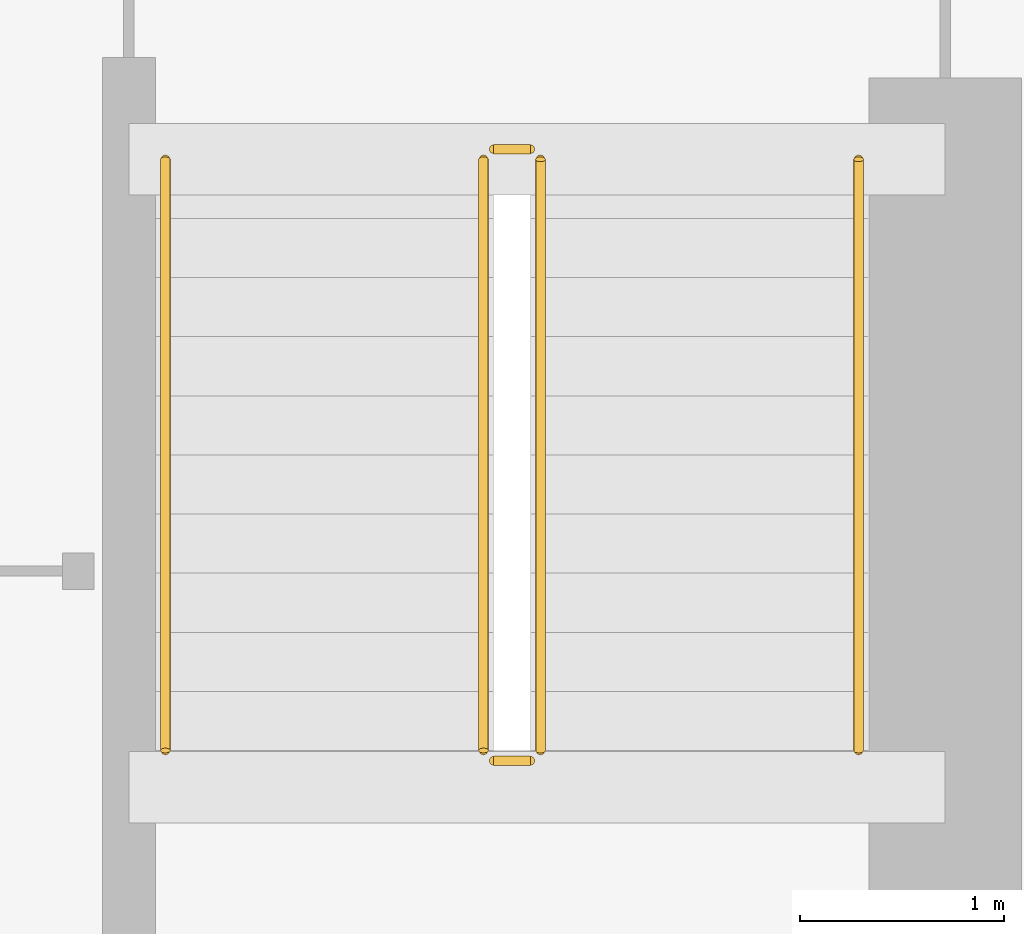
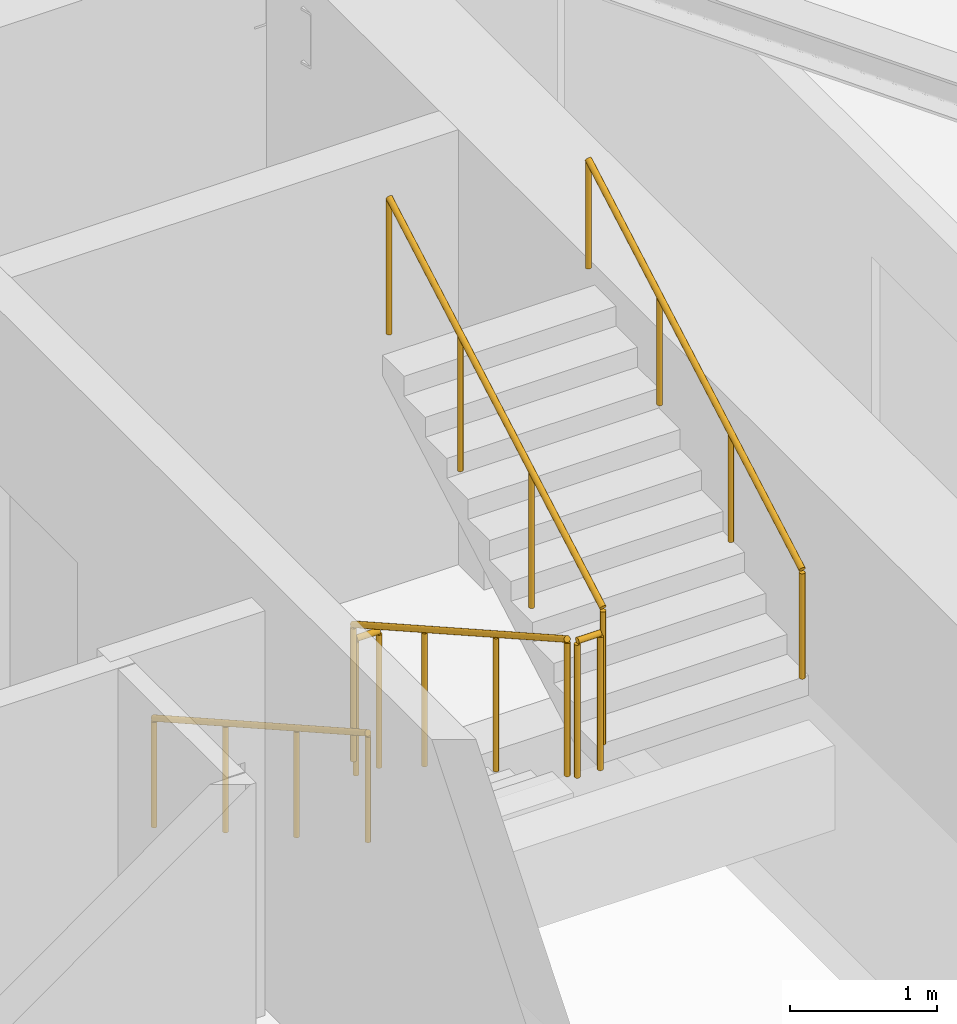
# One storey, part 10 of 10: 6 railings.
"""IFC4 building model written with IfcOpenShell, lengths in metres."""

from ifc_helpers import new_model, si_unit, direction, frame, origin, origin_2d, place, context, subcontext, project, spatial, circle, extrude, material, type_object, element, save


model = new_model("IFC4")

# Units and contexts
model_context = context("Model", 3, precision=1e-05, world=origin(), true_north=direction((0.0, 1.0)))
body_context = subcontext(model_context, "Body", "Model", "MODEL_VIEW")
ifc_project = project(units=[si_unit("LENGTHUNIT", "METRE"), si_unit("AREAUNIT", "SQUARE_METRE"), si_unit("VOLUMEUNIT", "CUBIC_METRE"), si_unit("PLANEANGLEUNIT", "RADIAN"), si_unit("MASSUNIT", "GRAM", prefix="KILO")], contexts=[model_context])

# Site, building, storey
site_placement = place(None, origin())
site = spatial("IfcSite", under=ifc_project, at=site_placement, CompositionType="ELEMENT")
building_placement = place(site_placement, origin())
building = spatial("IfcBuilding", under=site, at=building_placement, Name="Calvemar Wedge Station Tower", CompositionType="ELEMENT")
storey_placement = place(building_placement, frame((0.0, 0.0, 139.39990234375)))
storey = spatial("IfcBuildingStorey", under=building, at=storey_placement, Name="L34", CompositionType="ELEMENT", Elevation=139.39990234375)

# Railings
ifc_material_1 = material(Name="Stainless steel AISI 316L", Category="steel")
railing_type_1 = type_object("IfcRailingType", Name="RL-HANDRAIL-920", PredefinedType="HANDRAIL", material=ifc_material_1)
railing_1_placement = place(storey_placement, frame((27.550048828125, 41.14990234375, 0.163818359375)))
element("IfcRailing", 1, at=railing_1_placement, inside=storey, type_object=railing_type_1, Name="L34 ST-C2 stair handrail 1", PredefinedType="HANDRAIL", context=body_context, shape_type="SweptSolid", body=[
    extrude(circle(Radius=0.02392578125, at=origin_2d()), frame((0.0, 0.0, 0.89599609375), z_axis=(0.0, -0.870928581787, 0.491409610636), x_axis=(1.0, 0.0, 0.0)), (0.0, 0.0, 1.0), 3.32958984375),
    extrude(circle(Radius=0.02099609375, at=origin_2d()), origin(), (0.0, 0.0, 1.0), 0.871826171875),
    extrude(circle(Radius=0.02099609375, at=origin_2d()), frame((0.0, -0.966552734375, 0.54541015625)), (0.0, 0.0, 1.0), 0.871826171875),
    extrude(circle(Radius=0.02099609375, at=origin_2d()), frame((0.0, -1.933349609375, 1.0908203125)), (0.0, 0.0, 1.0), 0.871826171875),
    extrude(circle(Radius=0.02099609375, at=origin_2d()), frame((0.0, -2.89990234375, 1.63623046875)), (0.0, 0.0, 1.0), 0.871826171875),
])
railing_2_placement = place(storey_placement, frame((30.949951171875, 38.25, 1.963623046875)))
element("IfcRailing", 2, at=railing_2_placement, inside=storey, type_object=railing_type_1, Name="L34 ST-C2 stair handrail 2", PredefinedType="HANDRAIL", context=body_context, shape_type="SweptSolid", body=[
    extrude(circle(Radius=0.02392578125, at=origin_2d()), frame((0.0, 0.0, 0.89599609375), z_axis=(0.0, 0.870897200241, 0.491465224214), x_axis=(-1.0, 0.0, 0.0)), (0.0, 0.0, 1.0), 3.329833984375),
    extrude(circle(Radius=0.02099609375, at=origin_2d()), origin(), (0.0, 0.0, 1.0), 0.871826171875),
    extrude(circle(Radius=0.02099609375, at=origin_2d()), frame((0.0, 0.966552734375, 0.54541015625)), (0.0, 0.0, 1.0), 0.871826171875),
    extrude(circle(Radius=0.02099609375, at=origin_2d()), frame((0.0, 1.933349609375, 1.091064453125)), (0.0, 0.0, 1.0), 0.871826171875),
    extrude(circle(Radius=0.02099609375, at=origin_2d()), frame((0.0, 2.89990234375, 1.636474609375)), (0.0, 0.0, 1.0), 0.871826171875),
])
ifc_material_2 = material(Name="Painted steel guardrail ASTM A500 Grade C", Category="steel")
railing_type_2 = type_object("IfcRailingType", Name="RL-STAIR-GUARD-1150", PredefinedType="GUARDRAIL", material=ifc_material_2)
railing_3_placement = place(storey_placement, frame((29.110107421875, 41.14990234375, 0.163818359375)))
element("IfcRailing", 3, at=railing_3_placement, inside=storey, type_object=railing_type_2, Name="L34 ST-C2 stair guard 1", PredefinedType="GUARDRAIL", context=body_context, shape_type="SweptSolid", body=[
    extrude(circle(Radius=0.02392578125, at=origin_2d()), frame((0.0, 0.0, 1.1259765625), z_axis=(0.0, -0.870928581787, 0.491409610636), x_axis=(1.0, 0.0, 0.0)), (0.0, 0.0, 1.0), 3.32958984375),
    extrude(circle(Radius=0.02099609375, at=origin_2d()), origin(), (0.0, 0.0, 1.0), 1.101806640625),
    extrude(circle(Radius=0.02099609375, at=origin_2d()), frame((0.0, -0.966552734375, 0.54541015625)), (0.0, 0.0, 1.0), 1.101806640625),
    extrude(circle(Radius=0.02099609375, at=origin_2d()), frame((0.0, -1.933349609375, 1.0908203125)), (0.0, 0.0, 1.0), 1.101806640625),
    extrude(circle(Radius=0.02099609375, at=origin_2d()), frame((0.0, -2.89990234375, 1.63623046875)), (0.0, 0.0, 1.0), 1.101806640625),
])
railing_4_placement = place(storey_placement, frame((29.159912109375, 38.199951171875, 1.800048828125)))
element("IfcRailing", 4, at=railing_4_placement, inside=storey, type_object=railing_type_2, Name="L34 ST-C2 stair guard 2", PredefinedType="GUARDRAIL", context=body_context, shape_type="SweptSolid", body=[
    extrude(circle(Radius=0.02392578125, at=origin_2d()), frame((0.0, 0.0, 1.1259765625), z_axis=(1.0, 0.0, 0.0), x_axis=(0.0, 1.0, 0.0)), (0.0, 0.0, 1.0), 0.18017578125),
    extrude(circle(Radius=0.02099609375, at=origin_2d()), origin(), (0.0, 0.0, 1.0), 1.101806640625),
    extrude(circle(Radius=0.02099609375, at=origin_2d()), frame((0.18017578125, 0.0, 0.0)), (0.0, 0.0, 1.0), 1.101806640625),
])
railing_5_placement = place(storey_placement, frame((29.389892578125, 38.25, 1.963623046875)))
element("IfcRailing", 5, at=railing_5_placement, inside=storey, type_object=railing_type_2, Name="L34 ST-C2 stair guard 3", PredefinedType="GUARDRAIL", context=body_context, shape_type="SweptSolid", body=[
    extrude(circle(Radius=0.02392578125, at=origin_2d()), frame((0.0, 0.0, 1.1259765625), z_axis=(0.0, 0.870897200241, 0.491465224214), x_axis=(-1.0, 0.0, 0.0)), (0.0, 0.0, 1.0), 3.329833984375),
    extrude(circle(Radius=0.02099609375, at=origin_2d()), origin(), (0.0, 0.0, 1.0), 1.101806640625),
    extrude(circle(Radius=0.02099609375, at=origin_2d()), frame((0.0, 0.966552734375, 0.54541015625)), (0.0, 0.0, 1.0), 1.101806640625),
    extrude(circle(Radius=0.02099609375, at=origin_2d()), frame((0.0, 1.933349609375, 1.091064453125)), (0.0, 0.0, 1.0), 1.101806640625),
    extrude(circle(Radius=0.02099609375, at=origin_2d()), frame((0.0, 2.89990234375, 1.636474609375)), (0.0, 0.0, 1.0), 1.101806640625),
])
railing_6_placement = place(storey_placement, frame((29.159912109375, 41.199951171875, 0.0)))
element("IfcRailing", 6, at=railing_6_placement, inside=storey, type_object=railing_type_2, Name="L34 ST-C2 stair guard 4", PredefinedType="GUARDRAIL", context=body_context, shape_type="SweptSolid", body=[
    extrude(circle(Radius=0.02392578125, at=origin_2d()), frame((0.0, 0.0, 1.1259765625), z_axis=(1.0, 0.0, 0.0), x_axis=(0.0, 1.0, 0.0)), (0.0, 0.0, 1.0), 0.18017578125),
    extrude(circle(Radius=0.02099609375, at=origin_2d()), origin(), (0.0, 0.0, 1.0), 1.101806640625),
    extrude(circle(Radius=0.02099609375, at=origin_2d()), frame((0.18017578125, 0.0, 0.0)), (0.0, 0.0, 1.0), 1.101806640625),
])

save(model, "model.ifc")
